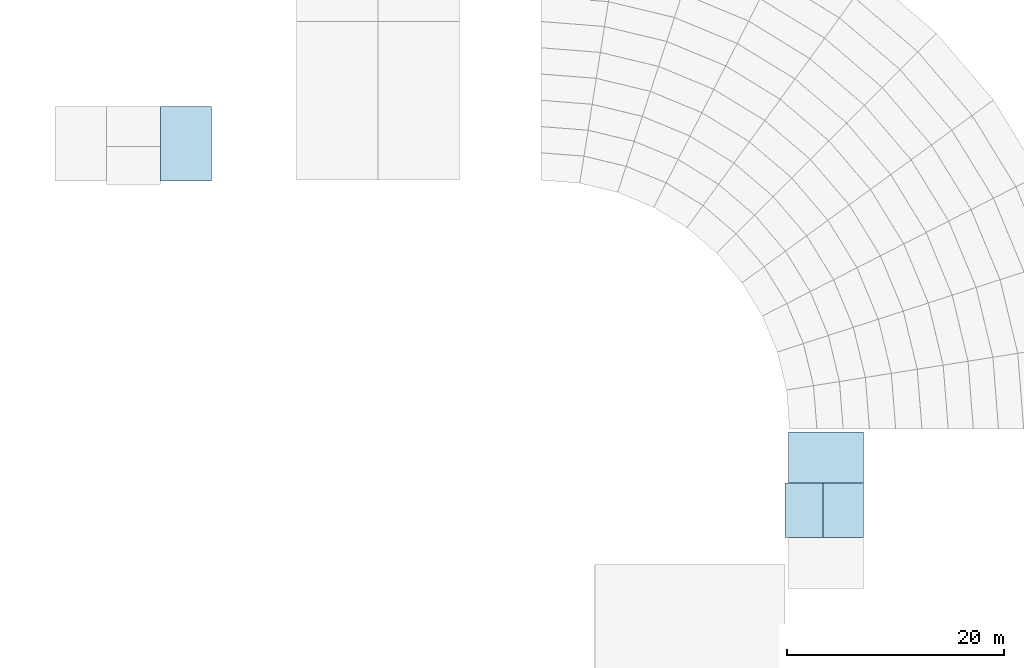
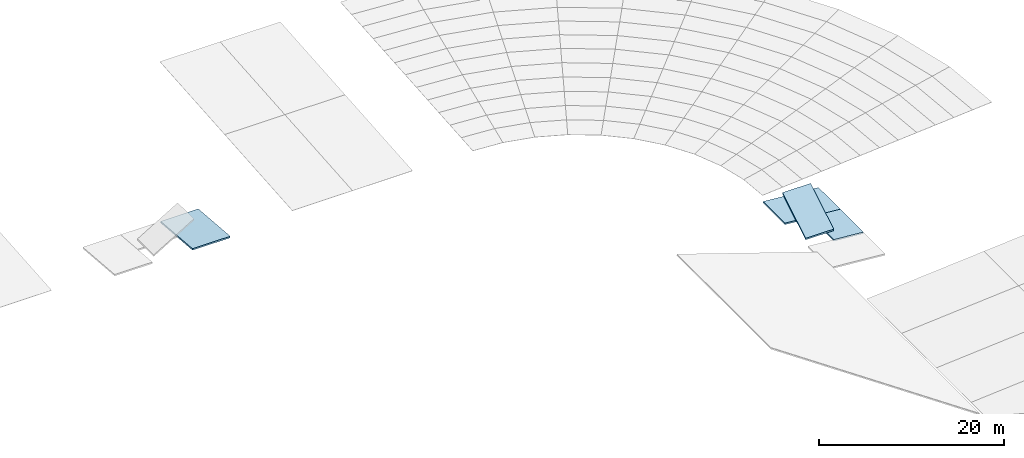
# One storey, part 2 of 6: 4 slabs.
"""IFC4 building model written with IfcOpenShell, lengths in metres."""

from ifc_helpers import new_model, si_unit, direction, frame, origin, place, context, subcontext, project, spatial, polyline, outline, extrude, material, layer, layer_set, type_object, element, save


model = new_model("IFC4")

# Units and contexts
model_context = context("Model", 3, precision=1e-05, world=origin(), true_north=direction((0.0, 1.0)))
body_context = subcontext(model_context, "Body", "Model", "MODEL_VIEW")
ifc_project = project(units=[si_unit("LENGTHUNIT", "METRE"), si_unit("AREAUNIT", "SQUARE_METRE"), si_unit("VOLUMEUNIT", "CUBIC_METRE"), si_unit("PLANEANGLEUNIT", "RADIAN"), si_unit("MASSUNIT", "GRAM", prefix="KILO")], contexts=[model_context])

# Site, building, storey
site_placement = place(None, origin())
site = spatial("IfcSite", under=ifc_project, at=site_placement, CompositionType="ELEMENT")
building_placement = place(site_placement, origin())
building = spatial("IfcBuilding", under=site, at=building_placement, Name="Parallax Yard Mobility Hub", CompositionType="ELEMENT")
storey_placement = place(building_placement, frame((0.0, 0.0, 26.5)))
storey = spatial("IfcBuildingStorey", under=building, at=storey_placement, Name="ROOF", CompositionType="ELEMENT", Elevation=26.5)

# Slabs
ifc_material = material(Name="Concrete fc' 35 MPa", Category="concrete")
ifc_layer = layer(ifc_material, 0.199951171875)
ifc_layer_set = layer_set([ifc_layer], Name="Core roof slab 200")
slab_type = type_object("IfcSlabType", Name="Core roof slab 200", PredefinedType="ROOF", material=ifc_layer_set)
placement = place(building_placement, frame((0.0, 0.0, 13.199951171875)))
slab_1_placement = place(placement, frame((139.85009765625, 119.699951171875, 3.300048828125), z_axis=(0.0, 0.0, 1.0), x_axis=(0.0, -1.0, 0.0)))
element("IfcSlab", 1, at=slab_1_placement, inside=storey, type_object=slab_type, Name="Core C-N2 head-house roof slab part 1", PredefinedType="ROOF", context=body_context, shape_type="SweptSolid", body=[
    extrude(outline(polyline([(0.0, -0.199951171875), (6.89990234375, 0.375), (6.89990234375, 0.574951171875), (0.0, 0.0), (0.0, -0.199951171875)])), frame((0.0, 2.35009765625, 0.0), z_axis=(0.0, -1.0, 0.0), x_axis=(1.0, 0.0, 0.0)), (0.0, 0.0, 1.0), 4.699951171875),
])
slab_2_placement = place(placement, frame((202.199951171875, 82.5, 3.300048828125), z_axis=(0.0, 0.0, 1.0), x_axis=(-1.0, 0.0, 0.0)))
element("IfcSlab", 2, at=slab_2_placement, inside=storey, type_object=slab_type, Name="Core C-E head-house roof slab part 2", PredefinedType="ROOF", context=body_context, shape_type="SweptSolid", body=[
    extrude(outline(polyline([(0.0, -0.199951171875), (3.699951171875, 0.1083984375), (3.699951171875, 0.308349609375), (0.0, 0.0), (0.0, -0.199951171875)])), frame((0.0, 2.5, 0.0), z_axis=(0.0, -1.0, 0.0), x_axis=(1.0, 0.0, 0.0)), (0.0, 0.0, 1.0), 5.0),
])
slab_3_placement = place(placement, frame((202.199951171875, 87.35009765625, 3.300048828125), z_axis=(0.0, 0.0, 1.0), x_axis=(-1.0, 0.0, 0.0)))
element("IfcSlab", 3, at=slab_3_placement, inside=storey, type_object=slab_type, Name="Core C-E head-house roof slab part 3", PredefinedType="ROOF", context=body_context, shape_type="SweptSolid", body=[
    extrude(outline(polyline([(0.0, -0.199951171875), (6.89990234375, 0.375), (6.89990234375, 0.574951171875), (0.0, 0.0), (0.0, -0.199951171875)])), frame((0.0, 2.35009765625, 0.0), z_axis=(0.0, -1.0, 0.0), x_axis=(1.0, 0.0, 0.0)), (0.0, 0.0, 1.0), 4.699951171875),
])
slab_4_placement = place(placement, frame((196.75, 80.0, 5.0), z_axis=(0.0, 0.0, 1.0), x_axis=(0.0, 1.0, 0.0)))
element("IfcSlab", 4, at=slab_4_placement, inside=storey, type_object=slab_type, Name="Core C-E raked crown roof slab over lift bank 1", PredefinedType="ROOF", context=body_context, shape_type="SweptSolid", body=[
    extrude(outline(polyline([(0.0, -0.199951171875), (5.0, 2.800048828125), (5.0, 3.0), (0.0, 0.0), (0.0, -0.199951171875)])), frame((0.0, 1.75, 0.0), z_axis=(0.0, -1.0, 0.0), x_axis=(1.0, 0.0, 0.0)), (0.0, 0.0, 1.0), 3.5),
])

save(model, "model.ifc")
